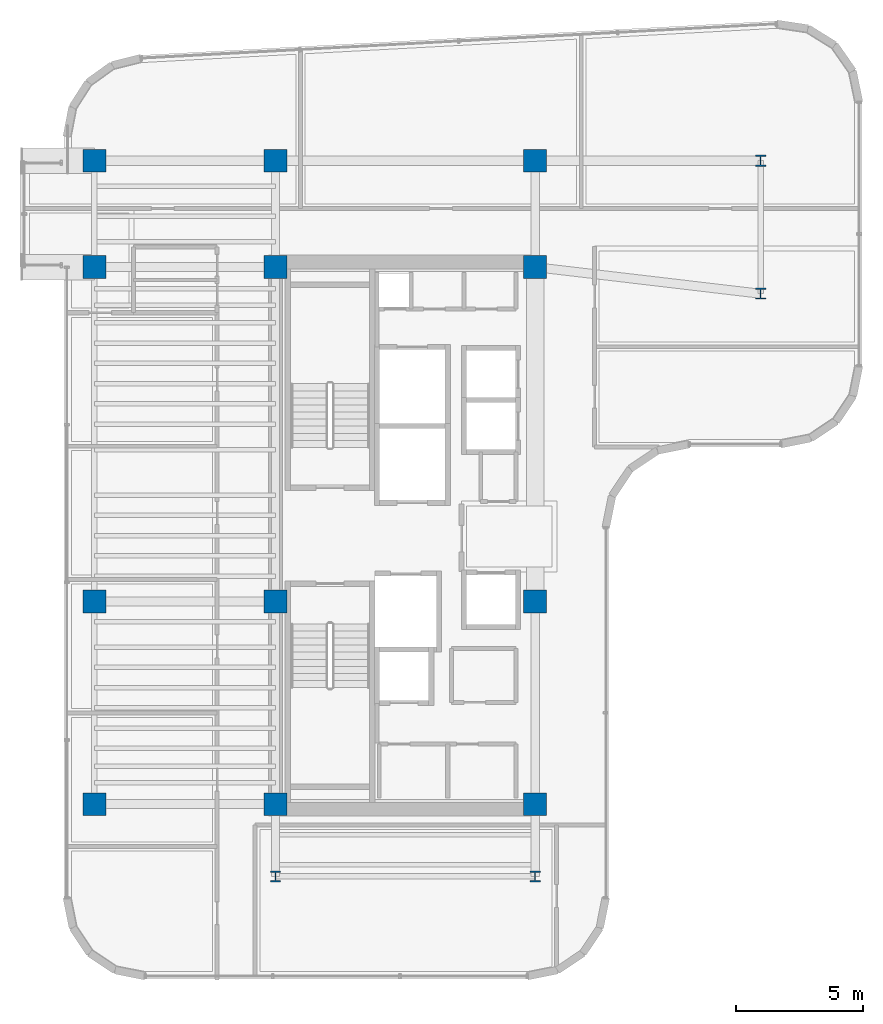
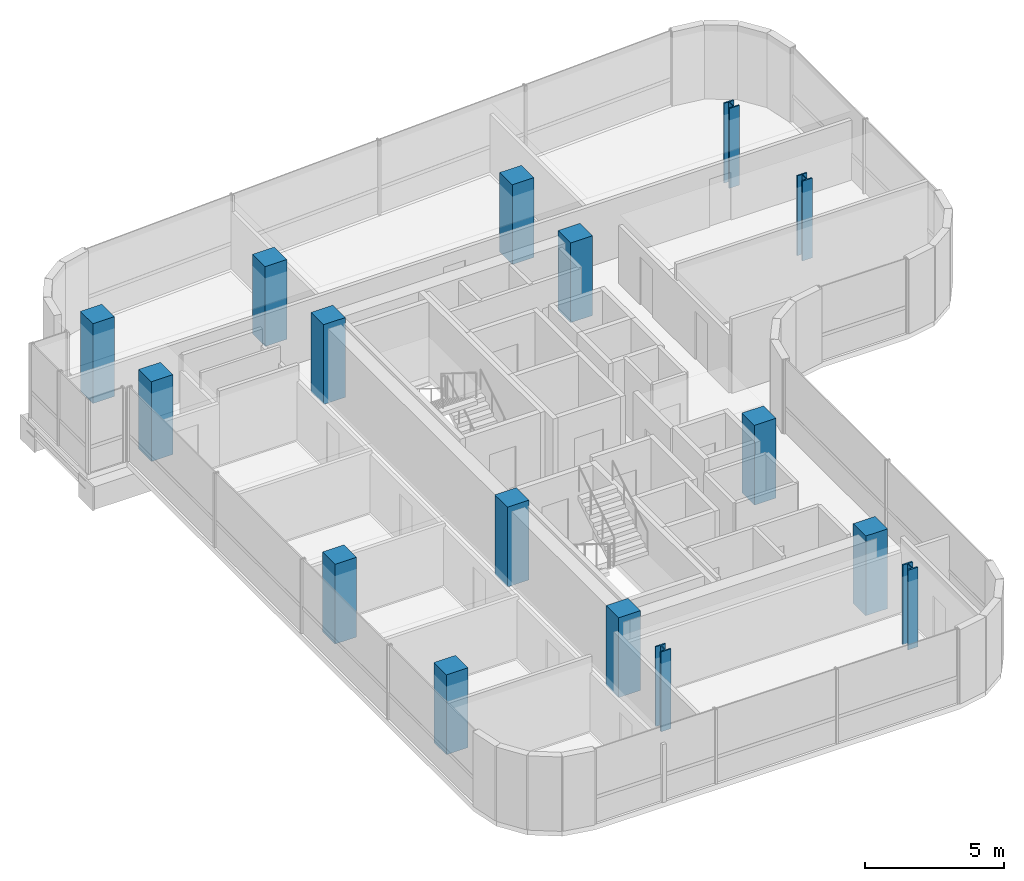
# One storey, part 1 of 21: 16 columns.
"""IFC4 building model written with IfcOpenShell, lengths in metres."""

from ifc_helpers import new_model, si_unit, direction, frame, origin, origin_2d, place, context, subcontext, project, spatial, rectangle, i_section, extrude, source, transform, mapped, material, material_profile, profile_set, type_object, element, save


model = new_model("IFC4")

# Units and contexts
model_context = context("Model", 3, precision=1e-05, world=origin(), true_north=direction((0.0, 1.0)))
body_context = subcontext(model_context, "Body", "Model", "MODEL_VIEW")
ifc_project = project(units=[si_unit("LENGTHUNIT", "METRE"), si_unit("AREAUNIT", "SQUARE_METRE"), si_unit("VOLUMEUNIT", "CUBIC_METRE"), si_unit("PLANEANGLEUNIT", "RADIAN"), si_unit("MASSUNIT", "GRAM", prefix="KILO")], contexts=[model_context])

# Site, building, storey
site_placement = place(None, origin())
site = spatial("IfcSite", under=ifc_project, at=site_placement, CompositionType="ELEMENT")
building_placement = place(site_placement, origin())
building = spatial("IfcBuilding", under=site, at=building_placement, Name="Valdorenza Pilgrim Sanctuary Tower", CompositionType="ELEMENT")
storey_placement = place(building_placement, frame((0.0, 0.0, 223.0)))
storey = spatial("IfcBuildingStorey", under=building, at=storey_placement, Name="L57", CompositionType="ELEMENT", Elevation=223.0)

# Columns
ifc_material_1 = material(Name="Concrete C50/60", Category="concrete")
ifc_material_profile_1 = material_profile(ifc_material_1, rectangle(XDim=0.89990234375, YDim=0.89990234375, at=origin_2d()), Name="RC 900x900")
ifc_profile_set_1 = profile_set([ifc_material_profile_1], Name="Concrete C50/60")
column_type_1 = type_object("IfcColumnType", Name="COL-Z4A-900", PredefinedType="COLUMN", material=ifc_profile_set_1)
shared_shape_1 = source(origin(), body_context, "Body", "SweptSolid", [
    extrude(rectangle(XDim=0.89990234375, YDim=0.89990234375, at=origin_2d()), origin(), (0.0, 0.0, 1.0), 3.5),
])
for number, where, z_axis, x_axis, name in (
    (1, (-29.800048828125, -10.60009765625, 0.0), (0.0, 0.0, 1.0), (1.0, 0.0, 0.0), "L57 Perimeter Column WA-W-S1"),
    (2, (-22.64990234375, -10.60009765625, 0.0), (0.0, 0.0, 1.0), (1.0, 0.0, 0.0), "L57 Column CA-W-S1"),
    (3, (-12.39990234375, -10.60009765625, 0.0), (0.0, 0.0, 1.0), (1.0, 0.0, 0.0), "L57 Column CA-E-S1"),
    (4, (-29.800048828125, -2.60009765625, 0.0), (0.0, 0.0, 1.0), (1.0, 0.0, 0.0), "L57 Perimeter Column WA-W-M0"),
    (5, (-22.64990234375, -2.60009765625, 0.0), (0.0, 0.0, 1.0), (1.0, 0.0, 0.0), "L57 Column CA-W-M0"),
    (6, (-12.39990234375, -2.60009765625, 0.0), (0.0, 0.0, 1.0), (1.0, 0.0, 0.0), "L57 Column CA-E-M0"),
    (7, (-29.800048828125, 10.60009765625, 0.0), (0.0, 0.0, 1.0), (1.0, 0.0, 0.0), "L57 Perimeter Column WA-W-N1"),
    (8, (-22.64990234375, 10.60009765625, 0.0), (0.0, 0.0, 1.0), (1.0, 0.0, 0.0), "L57 Column CA-W-N1"),
    (9, (-12.39990234375, 10.60009765625, 0.0), (0.0, 0.0, 1.0), (1.0, 0.0, 0.0), "L57 Column CA-E-N1"),
    (10, (-29.800048828125, 14.800048828125, 0.0), (0.0, 0.0, 1.0), (1.0, 0.0, 0.0), "L57 Perimeter Column WA-W-N2"),
    (11, (-22.64990234375, 14.800048828125, 0.0), (0.0, 0.0, 1.0), (1.0, 0.0, 0.0), "L57 Column CA-W-N2"),
    (12, (-12.39990234375, 14.800048828125, 0.0), (0.0, 0.0, 1.0), (1.0, 0.0, 0.0), "L57 Column CA-E-N2"),
):
    element("IfcColumn", number, at=place(storey_placement, frame(where, z_axis=z_axis, x_axis=x_axis)), inside=storey, type_object=column_type_1, Name=name, PredefinedType="COLUMN", context=body_context, shape_type="MappedRepresentation", body=[
        mapped(shared_shape_1, transform((0.0, 0.0, 0.0), x_axis=(1.0, 0.0, 0.0), y_axis=(0.0, 1.0, 0.0), z_axis=(0.0, 0.0, 1.0), scale=1.0)),
    ])
ifc_material_2 = material(Name="Steel ASTM A992 Grade 50", Category="steel")
ifc_material_profile_2 = material_profile(ifc_material_2, i_section(OverallWidth=0.412109375, OverallDepth=0.43505859375, WebThickness=0.035888671875, FlangeThickness=0.057373046875, at=origin_2d()), Name="W14X311")
ifc_profile_set_2 = profile_set([ifc_material_profile_2], Name="Steel ASTM A992 Grade 50")
column_type_2 = type_object("IfcColumnType", Name="COL-STL-W311", PredefinedType="COLUMN", material=ifc_profile_set_2)
shared_shape_2 = source(origin(), body_context, "Body", "SweptSolid", [
    extrude(i_section(OverallWidth=0.412109375, OverallDepth=0.43505859375, WebThickness=0.035888671875, FlangeThickness=0.057373046875, at=origin_2d()), origin(), (0.0, 0.0, 1.0), 3.5),
])
for number, where, z_axis, x_axis, name in (
    (13, (-22.64990234375, -13.449951171875, 0.0), (0.0, 0.0, 1.0), (1.0, 0.0, 0.0), "L57 Column WA-S-W"),
    (14, (-12.39990234375, -13.449951171875, 0.0), (0.0, 0.0, 1.0), (1.0, 0.0, 0.0), "L57 Column WA-S-E"),
    (15, (-3.5, 9.550048828125, 0.0), (0.0, 0.0, 1.0), (1.0, 0.0, 0.0), "L57 Column UWA-K1"),
    (16, (-3.5, 14.800048828125, 0.0), (0.0, 0.0, 1.0), (1.0, 0.0, 0.0), "L57 Column UWA-K2"),
):
    element("IfcColumn", number, at=place(storey_placement, frame(where, z_axis=z_axis, x_axis=x_axis)), inside=storey, type_object=column_type_2, Name=name, PredefinedType="COLUMN", context=body_context, shape_type="MappedRepresentation", body=[
        mapped(shared_shape_2, transform((0.0, 0.0, 0.0), x_axis=(1.0, 0.0, 0.0), y_axis=(0.0, 1.0, 0.0), z_axis=(0.0, 0.0, 1.0), scale=1.0)),
    ])

save(model, "model.ifc")
